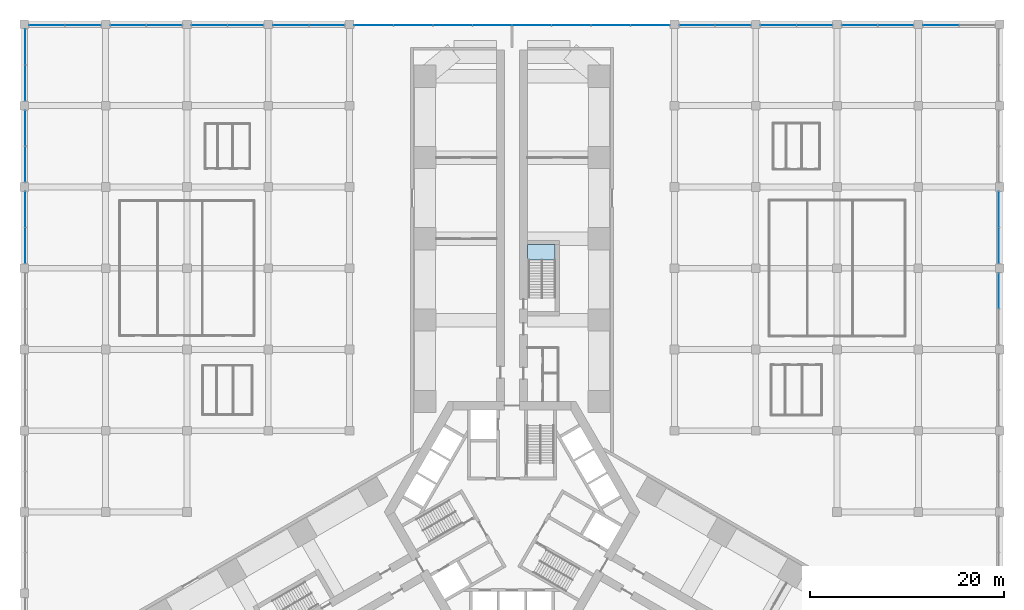
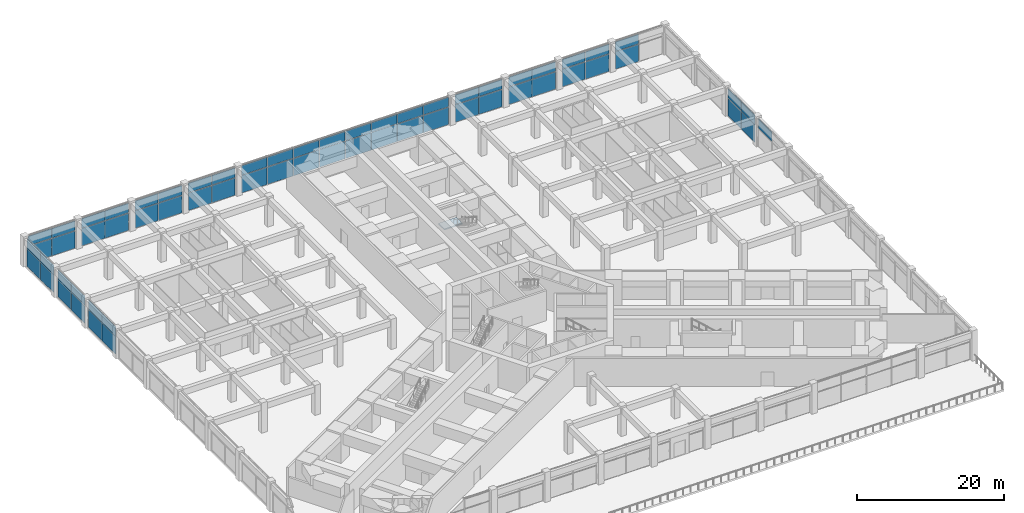
# One storey, part 26 of 36: 63 plates, 1 slab, 15 elements without a shape of their own.
"""IFC4 building model written with IfcOpenShell, lengths in metres."""

from ifc_helpers import new_model, si_unit, direction, frame, origin, origin_2d, place, context, subcontext, project, spatial, polyline, rectangle, outline, extrude, material, layer, layer_set, type_object, element, aggregate, save


model = new_model("IFC4")

# Units and contexts
model_context = context("Model", 3, precision=1e-05, world=origin(), true_north=direction((0.0, 1.0)))
body_context = subcontext(model_context, "Body", "Model", "MODEL_VIEW")
ifc_project = project(units=[si_unit("LENGTHUNIT", "METRE"), si_unit("AREAUNIT", "SQUARE_METRE"), si_unit("VOLUMEUNIT", "CUBIC_METRE"), si_unit("PLANEANGLEUNIT", "RADIAN"), si_unit("MASSUNIT", "GRAM", prefix="KILO")], contexts=[model_context])

# Site, building, storey
site_placement = place(None, origin())
site = spatial("IfcSite", under=ifc_project, at=site_placement, CompositionType="ELEMENT")
building_placement = place(site_placement, origin())
building = spatial("IfcBuilding", under=site, at=building_placement, Name="Impinga Residences", CompositionType="ELEMENT")
storey_placement = place(building_placement, frame((0.0, 0.0, 6.0)))
storey = spatial("IfcBuildingStorey", under=building, at=storey_placement, Name="L01", CompositionType="ELEMENT", Elevation=6.0)

# Curtain wall, plates
ifc_material_1 = material(Name="Aluminium stick curtain wall", Category="aluminium")
curtain_wall_type = type_object("IfcCurtainWallType", Name="CW1 podium amenity curtain wall", PredefinedType="USERDEFINED", material=ifc_material_1)
curtain_wall_1_placement = place(storey_placement, origin())
curtain_wall_1 = element("IfcCurtainWall", 1, at=curtain_wall_1_placement, inside=storey, type_object=curtain_wall_type, Name="Curtain wall CW1 L01", ObjectType="STICK CURTAIN WALL", PredefinedType="USERDEFINED")
ifc_material_2 = material(Name="Clear double glazing", Category="glass")
ifc_layer_1 = layer(ifc_material_2, 0.028076171875)
ifc_layer_set_1 = layer_set([ifc_layer_1], Name="CW1-P clear double glazed panel 28")
plate_type = type_object("IfcPlateType", Name="CW1-P clear double glazed panel 28", PredefinedType="CURTAIN_PANEL", material=ifc_layer_set_1)
plate_1_placement = place(storey_placement, frame((-50.300048828125, 27.54150390625, 0.06005859375), z_axis=(0.0, 0.0, 1.0), x_axis=(0.0, 1.0, 0.0)))
plate_1 = element("IfcPlate", 2, at=plate_1_placement, type_object=plate_type, Name="CW1 panel 1.1", PredefinedType="CURTAIN_PANEL", context=body_context, shape_type="SweptSolid", body=[
    extrude(rectangle(XDim=3.656982421875, YDim=0.028076171875, at=origin_2d()), origin(), (0.0, 0.0, 1.0), 2.909912109375),
])
plate_2_placement = place(storey_placement, frame((-50.300048828125, 27.54150390625, 3.02978515625), z_axis=(0.0, 0.0, 1.0), x_axis=(0.0, 1.0, 0.0)))
plate_2 = element("IfcPlate", 3, at=plate_2_placement, type_object=plate_type, Name="CW1 panel 1.2", PredefinedType="CURTAIN_PANEL", context=body_context, shape_type="SweptSolid", body=[
    extrude(rectangle(XDim=3.656982421875, YDim=0.028076171875, at=origin_2d()), origin(), (0.0, 0.0, 1.0), 1.610107421875),
])
plate_3_placement = place(storey_placement, frame((-50.300048828125, 31.258544921875, 0.06005859375), z_axis=(0.0, 0.0, 1.0), x_axis=(0.0, 1.0, 0.0)))
plate_3 = element("IfcPlate", 4, at=plate_3_placement, type_object=plate_type, Name="CW1 panel 2.1", PredefinedType="CURTAIN_PANEL", context=body_context, shape_type="SweptSolid", body=[
    extrude(rectangle(XDim=3.656982421875, YDim=0.028076171875, at=origin_2d()), origin(), (0.0, 0.0, 1.0), 2.909912109375),
])
plate_4_placement = place(storey_placement, frame((-50.300048828125, 31.258544921875, 3.02978515625), z_axis=(0.0, 0.0, 1.0), x_axis=(0.0, 1.0, 0.0)))
plate_4 = element("IfcPlate", 5, at=plate_4_placement, type_object=plate_type, Name="CW1 panel 2.2", PredefinedType="CURTAIN_PANEL", context=body_context, shape_type="SweptSolid", body=[
    extrude(rectangle(XDim=3.656982421875, YDim=0.028076171875, at=origin_2d()), origin(), (0.0, 0.0, 1.0), 1.610107421875),
])
aggregate(curtain_wall_1, [plate_1, plate_2, plate_3, plate_4])

curtain_wall_2_placement = place(storey_placement, origin())
curtain_wall_2 = element("IfcCurtainWall", 6, at=curtain_wall_2_placement, inside=storey, type_object=curtain_wall_type, Name="Curtain wall CW1 L01", ObjectType="STICK CURTAIN WALL", PredefinedType="USERDEFINED")
plate_5_placement = place(storey_placement, frame((-50.300048828125, 35.94140625, 0.06005859375), z_axis=(0.0, 0.0, 1.0), x_axis=(0.0, 1.0, 0.0)))
plate_5 = element("IfcPlate", 7, at=plate_5_placement, type_object=plate_type, Name="CW1 panel 1.1", PredefinedType="CURTAIN_PANEL", context=body_context, shape_type="SweptSolid", body=[
    extrude(rectangle(XDim=3.656982421875, YDim=0.028076171875, at=origin_2d()), origin(), (0.0, 0.0, 1.0), 2.909912109375),
])
plate_6_placement = place(storey_placement, frame((-50.300048828125, 35.94140625, 3.02978515625), z_axis=(0.0, 0.0, 1.0), x_axis=(0.0, 1.0, 0.0)))
plate_6 = element("IfcPlate", 8, at=plate_6_placement, type_object=plate_type, Name="CW1 panel 1.2", PredefinedType="CURTAIN_PANEL", context=body_context, shape_type="SweptSolid", body=[
    extrude(rectangle(XDim=3.656982421875, YDim=0.028076171875, at=origin_2d()), origin(), (0.0, 0.0, 1.0), 1.610107421875),
])
plate_7_placement = place(storey_placement, frame((-50.300048828125, 39.658447265625, 0.06005859375), z_axis=(0.0, 0.0, 1.0), x_axis=(0.0, 1.0, 0.0)))
plate_7 = element("IfcPlate", 9, at=plate_7_placement, type_object=plate_type, Name="CW1 panel 2.1", PredefinedType="CURTAIN_PANEL", context=body_context, shape_type="SweptSolid", body=[
    extrude(rectangle(XDim=3.656982421875, YDim=0.028076171875, at=origin_2d()), origin(), (0.0, 0.0, 1.0), 2.909912109375),
])
plate_8_placement = place(storey_placement, frame((-50.300048828125, 39.658447265625, 3.02978515625), z_axis=(0.0, 0.0, 1.0), x_axis=(0.0, 1.0, 0.0)))
plate_8 = element("IfcPlate", 10, at=plate_8_placement, type_object=plate_type, Name="CW1 panel 2.2", PredefinedType="CURTAIN_PANEL", context=body_context, shape_type="SweptSolid", body=[
    extrude(rectangle(XDim=3.656982421875, YDim=0.028076171875, at=origin_2d()), origin(), (0.0, 0.0, 1.0), 1.610107421875),
])
aggregate(curtain_wall_2, [plate_5, plate_6, plate_7, plate_8])

curtain_wall_3_placement = place(storey_placement, origin())
curtain_wall_3 = element("IfcCurtainWall", 11, at=curtain_wall_3_placement, inside=storey, type_object=curtain_wall_type, Name="Curtain wall CW1 L01", ObjectType="STICK CURTAIN WALL", PredefinedType="USERDEFINED")
plate_9_placement = place(storey_placement, frame((-50.300048828125, 44.341552734375, 0.06005859375), z_axis=(0.0, 0.0, 1.0), x_axis=(0.0, 1.0, 0.0)))
plate_9 = element("IfcPlate", 12, at=plate_9_placement, type_object=plate_type, Name="CW1 panel 1.1", PredefinedType="CURTAIN_PANEL", context=body_context, shape_type="SweptSolid", body=[
    extrude(rectangle(XDim=3.656982421875, YDim=0.028076171875, at=origin_2d()), origin(), (0.0, 0.0, 1.0), 2.909912109375),
])
plate_10_placement = place(storey_placement, frame((-50.300048828125, 44.341552734375, 3.02978515625), z_axis=(0.0, 0.0, 1.0), x_axis=(0.0, 1.0, 0.0)))
plate_10 = element("IfcPlate", 13, at=plate_10_placement, type_object=plate_type, Name="CW1 panel 1.2", PredefinedType="CURTAIN_PANEL", context=body_context, shape_type="SweptSolid", body=[
    extrude(rectangle(XDim=3.656982421875, YDim=0.028076171875, at=origin_2d()), origin(), (0.0, 0.0, 1.0), 1.610107421875),
])
plate_11_placement = place(storey_placement, frame((-50.300048828125, 48.05859375, 0.06005859375), z_axis=(0.0, 0.0, 1.0), x_axis=(0.0, 1.0, 0.0)))
plate_11 = element("IfcPlate", 14, at=plate_11_placement, type_object=plate_type, Name="CW1 panel 2.1", PredefinedType="CURTAIN_PANEL", context=body_context, shape_type="SweptSolid", body=[
    extrude(rectangle(XDim=3.656982421875, YDim=0.028076171875, at=origin_2d()), origin(), (0.0, 0.0, 1.0), 2.909912109375),
])
plate_12_placement = place(storey_placement, frame((-50.300048828125, 48.05859375, 3.02978515625), z_axis=(0.0, 0.0, 1.0), x_axis=(0.0, 1.0, 0.0)))
plate_12 = element("IfcPlate", 15, at=plate_12_placement, type_object=plate_type, Name="CW1 panel 2.2", PredefinedType="CURTAIN_PANEL", context=body_context, shape_type="SweptSolid", body=[
    extrude(rectangle(XDim=3.656982421875, YDim=0.028076171875, at=origin_2d()), origin(), (0.0, 0.0, 1.0), 1.610107421875),
])
aggregate(curtain_wall_3, [plate_9, plate_10, plate_11, plate_12])

curtain_wall_4_placement = place(storey_placement, origin())
curtain_wall_4 = element("IfcCurtainWall", 16, at=curtain_wall_4_placement, inside=storey, type_object=curtain_wall_type, Name="Curtain wall CW1 L01", ObjectType="STICK CURTAIN WALL", PredefinedType="USERDEFINED")
plate_13_placement = place(storey_placement, frame((-48.05859375, 50.300048828125, 0.06005859375), z_axis=(0.0, 0.0, 1.0), x_axis=(1.0, 0.0, 0.0)))
plate_13 = element("IfcPlate", 17, at=plate_13_placement, type_object=plate_type, Name="CW1 panel 1.1", PredefinedType="CURTAIN_PANEL", context=body_context, shape_type="SweptSolid", body=[
    extrude(rectangle(XDim=3.656982421875, YDim=0.028076171875, at=origin_2d()), origin(), (0.0, 0.0, 1.0), 2.909912109375),
])
plate_14_placement = place(storey_placement, frame((-48.05859375, 50.300048828125, 3.02978515625), z_axis=(0.0, 0.0, 1.0), x_axis=(1.0, 0.0, 0.0)))
plate_14 = element("IfcPlate", 18, at=plate_14_placement, type_object=plate_type, Name="CW1 panel 1.2", PredefinedType="CURTAIN_PANEL", context=body_context, shape_type="SweptSolid", body=[
    extrude(rectangle(XDim=3.656982421875, YDim=0.028076171875, at=origin_2d()), origin(), (0.0, 0.0, 1.0), 1.610107421875),
])
plate_15_placement = place(storey_placement, frame((-44.341552734375, 50.300048828125, 0.06005859375), z_axis=(0.0, 0.0, 1.0), x_axis=(1.0, 0.0, 0.0)))
plate_15 = element("IfcPlate", 19, at=plate_15_placement, type_object=plate_type, Name="CW1 panel 2.1", PredefinedType="CURTAIN_PANEL", context=body_context, shape_type="SweptSolid", body=[
    extrude(rectangle(XDim=3.656982421875, YDim=0.028076171875, at=origin_2d()), origin(), (0.0, 0.0, 1.0), 2.909912109375),
])
plate_16_placement = place(storey_placement, frame((-44.341552734375, 50.300048828125, 3.02978515625), z_axis=(0.0, 0.0, 1.0), x_axis=(1.0, 0.0, 0.0)))
plate_16 = element("IfcPlate", 20, at=plate_16_placement, type_object=plate_type, Name="CW1 panel 2.2", PredefinedType="CURTAIN_PANEL", context=body_context, shape_type="SweptSolid", body=[
    extrude(rectangle(XDim=3.656982421875, YDim=0.028076171875, at=origin_2d()), origin(), (0.0, 0.0, 1.0), 1.610107421875),
])
aggregate(curtain_wall_4, [plate_13, plate_14, plate_15, plate_16])

curtain_wall_5_placement = place(storey_placement, origin())
curtain_wall_5 = element("IfcCurtainWall", 21, at=curtain_wall_5_placement, inside=storey, type_object=curtain_wall_type, Name="Curtain wall CW1 L01", ObjectType="STICK CURTAIN WALL", PredefinedType="USERDEFINED")
plate_17_placement = place(storey_placement, frame((-39.658447265625, 50.300048828125, 0.06005859375), z_axis=(0.0, 0.0, 1.0), x_axis=(1.0, 0.0, 0.0)))
plate_17 = element("IfcPlate", 22, at=plate_17_placement, type_object=plate_type, Name="CW1 panel 1.1", PredefinedType="CURTAIN_PANEL", context=body_context, shape_type="SweptSolid", body=[
    extrude(rectangle(XDim=3.656982421875, YDim=0.028076171875, at=origin_2d()), origin(), (0.0, 0.0, 1.0), 2.909912109375),
])
plate_18_placement = place(storey_placement, frame((-39.658447265625, 50.300048828125, 3.02978515625), z_axis=(0.0, 0.0, 1.0), x_axis=(1.0, 0.0, 0.0)))
plate_18 = element("IfcPlate", 23, at=plate_18_placement, type_object=plate_type, Name="CW1 panel 1.2", PredefinedType="CURTAIN_PANEL", context=body_context, shape_type="SweptSolid", body=[
    extrude(rectangle(XDim=3.656982421875, YDim=0.028076171875, at=origin_2d()), origin(), (0.0, 0.0, 1.0), 1.610107421875),
])
plate_19_placement = place(storey_placement, frame((-35.94140625, 50.300048828125, 0.06005859375), z_axis=(0.0, 0.0, 1.0), x_axis=(1.0, 0.0, 0.0)))
plate_19 = element("IfcPlate", 24, at=plate_19_placement, type_object=plate_type, Name="CW1 panel 2.1", PredefinedType="CURTAIN_PANEL", context=body_context, shape_type="SweptSolid", body=[
    extrude(rectangle(XDim=3.656982421875, YDim=0.028076171875, at=origin_2d()), origin(), (0.0, 0.0, 1.0), 2.909912109375),
])
plate_20_placement = place(storey_placement, frame((-35.94140625, 50.300048828125, 3.02978515625), z_axis=(0.0, 0.0, 1.0), x_axis=(1.0, 0.0, 0.0)))
plate_20 = element("IfcPlate", 25, at=plate_20_placement, type_object=plate_type, Name="CW1 panel 2.2", PredefinedType="CURTAIN_PANEL", context=body_context, shape_type="SweptSolid", body=[
    extrude(rectangle(XDim=3.656982421875, YDim=0.028076171875, at=origin_2d()), origin(), (0.0, 0.0, 1.0), 1.610107421875),
])
aggregate(curtain_wall_5, [plate_17, plate_18, plate_19, plate_20])

curtain_wall_6_placement = place(storey_placement, origin())
curtain_wall_6 = element("IfcCurtainWall", 26, at=curtain_wall_6_placement, inside=storey, type_object=curtain_wall_type, Name="Curtain wall CW1 L01", ObjectType="STICK CURTAIN WALL", PredefinedType="USERDEFINED")
plate_21_placement = place(storey_placement, frame((-31.258544921875, 50.300048828125, 0.06005859375), z_axis=(0.0, 0.0, 1.0), x_axis=(1.0, 0.0, 0.0)))
plate_21 = element("IfcPlate", 27, at=plate_21_placement, type_object=plate_type, Name="CW1 panel 1.1", PredefinedType="CURTAIN_PANEL", context=body_context, shape_type="SweptSolid", body=[
    extrude(rectangle(XDim=3.656982421875, YDim=0.028076171875, at=origin_2d()), origin(), (0.0, 0.0, 1.0), 2.909912109375),
])
plate_22_placement = place(storey_placement, frame((-31.258544921875, 50.300048828125, 3.02978515625), z_axis=(0.0, 0.0, 1.0), x_axis=(1.0, 0.0, 0.0)))
plate_22 = element("IfcPlate", 28, at=plate_22_placement, type_object=plate_type, Name="CW1 panel 1.2", PredefinedType="CURTAIN_PANEL", context=body_context, shape_type="SweptSolid", body=[
    extrude(rectangle(XDim=3.656982421875, YDim=0.028076171875, at=origin_2d()), origin(), (0.0, 0.0, 1.0), 1.610107421875),
])
plate_23_placement = place(storey_placement, frame((-27.54150390625, 50.300048828125, 0.06005859375), z_axis=(0.0, 0.0, 1.0), x_axis=(1.0, 0.0, 0.0)))
plate_23 = element("IfcPlate", 29, at=plate_23_placement, type_object=plate_type, Name="CW1 panel 2.1", PredefinedType="CURTAIN_PANEL", context=body_context, shape_type="SweptSolid", body=[
    extrude(rectangle(XDim=3.656982421875, YDim=0.028076171875, at=origin_2d()), origin(), (0.0, 0.0, 1.0), 2.909912109375),
])
plate_24_placement = place(storey_placement, frame((-27.54150390625, 50.300048828125, 3.02978515625), z_axis=(0.0, 0.0, 1.0), x_axis=(1.0, 0.0, 0.0)))
plate_24 = element("IfcPlate", 30, at=plate_24_placement, type_object=plate_type, Name="CW1 panel 2.2", PredefinedType="CURTAIN_PANEL", context=body_context, shape_type="SweptSolid", body=[
    extrude(rectangle(XDim=3.656982421875, YDim=0.028076171875, at=origin_2d()), origin(), (0.0, 0.0, 1.0), 1.610107421875),
])
aggregate(curtain_wall_6, [plate_21, plate_22, plate_23, plate_24])

curtain_wall_7_placement = place(storey_placement, origin())
curtain_wall_7 = element("IfcCurtainWall", 31, at=curtain_wall_7_placement, inside=storey, type_object=curtain_wall_type, Name="Curtain wall CW1 L01", ObjectType="STICK CURTAIN WALL", PredefinedType="USERDEFINED")
plate_25_placement = place(storey_placement, frame((-22.8583984375, 50.300048828125, 0.06005859375), z_axis=(0.0, 0.0, 1.0), x_axis=(1.0, 0.0, 0.0)))
plate_25 = element("IfcPlate", 32, at=plate_25_placement, type_object=plate_type, Name="CW1 panel 1.1", PredefinedType="CURTAIN_PANEL", context=body_context, shape_type="SweptSolid", body=[
    extrude(rectangle(XDim=3.656982421875, YDim=0.028076171875, at=origin_2d()), origin(), (0.0, 0.0, 1.0), 2.909912109375),
])
plate_26_placement = place(storey_placement, frame((-22.8583984375, 50.300048828125, 3.02978515625), z_axis=(0.0, 0.0, 1.0), x_axis=(1.0, 0.0, 0.0)))
plate_26 = element("IfcPlate", 33, at=plate_26_placement, type_object=plate_type, Name="CW1 panel 1.2", PredefinedType="CURTAIN_PANEL", context=body_context, shape_type="SweptSolid", body=[
    extrude(rectangle(XDim=3.656982421875, YDim=0.028076171875, at=origin_2d()), origin(), (0.0, 0.0, 1.0), 1.610107421875),
])
plate_27_placement = place(storey_placement, frame((-19.1416015625, 50.300048828125, 0.06005859375), z_axis=(0.0, 0.0, 1.0), x_axis=(1.0, 0.0, 0.0)))
plate_27 = element("IfcPlate", 34, at=plate_27_placement, type_object=plate_type, Name="CW1 panel 2.1", PredefinedType="CURTAIN_PANEL", context=body_context, shape_type="SweptSolid", body=[
    extrude(rectangle(XDim=3.656982421875, YDim=0.028076171875, at=origin_2d()), origin(), (0.0, 0.0, 1.0), 2.909912109375),
])
plate_28_placement = place(storey_placement, frame((-19.1416015625, 50.300048828125, 3.02978515625), z_axis=(0.0, 0.0, 1.0), x_axis=(1.0, 0.0, 0.0)))
plate_28 = element("IfcPlate", 35, at=plate_28_placement, type_object=plate_type, Name="CW1 panel 2.2", PredefinedType="CURTAIN_PANEL", context=body_context, shape_type="SweptSolid", body=[
    extrude(rectangle(XDim=3.656982421875, YDim=0.028076171875, at=origin_2d()), origin(), (0.0, 0.0, 1.0), 1.610107421875),
])
aggregate(curtain_wall_7, [plate_25, plate_26, plate_27, plate_28])

curtain_wall_8_placement = place(storey_placement, origin())
curtain_wall_8 = element("IfcCurtainWall", 36, at=curtain_wall_8_placement, inside=storey, type_object=curtain_wall_type, Name="Curtain wall CW1 L01", ObjectType="STICK CURTAIN WALL", PredefinedType="USERDEFINED")
plate_29_placement = place(storey_placement, frame((-14.28857421875, 50.300048828125, 0.06005859375), z_axis=(0.0, 0.0, 1.0), x_axis=(1.0, 0.0, 0.0)))
plate_29 = element("IfcPlate", 37, at=plate_29_placement, type_object=plate_type, Name="CW1 panel 1.1", PredefinedType="CURTAIN_PANEL", context=body_context, shape_type="SweptSolid", body=[
    extrude(rectangle(XDim=3.996826171875, YDim=0.028076171875, at=origin_2d()), origin(), (0.0, 0.0, 1.0), 2.909912109375),
])
plate_30_placement = place(storey_placement, frame((-14.28857421875, 50.300048828125, 3.02978515625), z_axis=(0.0, 0.0, 1.0), x_axis=(1.0, 0.0, 0.0)))
plate_30 = element("IfcPlate", 38, at=plate_30_placement, type_object=plate_type, Name="CW1 panel 1.2", PredefinedType="CURTAIN_PANEL", context=body_context, shape_type="SweptSolid", body=[
    extrude(rectangle(XDim=3.996826171875, YDim=0.028076171875, at=origin_2d()), origin(), (0.0, 0.0, 1.0), 1.610107421875),
])
plate_31_placement = place(storey_placement, frame((-10.216796875, 50.300048828125, 0.06005859375), z_axis=(0.0, 0.0, 1.0), x_axis=(1.0, 0.0, 0.0)))
plate_31 = element("IfcPlate", 39, at=plate_31_placement, type_object=plate_type, Name="CW1 panel 2.1", PredefinedType="CURTAIN_PANEL", context=body_context, shape_type="SweptSolid", body=[
    extrude(rectangle(XDim=4.02685546875, YDim=0.028076171875, at=origin_2d()), origin(), (0.0, 0.0, 1.0), 2.909912109375),
])
plate_32_placement = place(storey_placement, frame((-10.216796875, 50.300048828125, 3.02978515625), z_axis=(0.0, 0.0, 1.0), x_axis=(1.0, 0.0, 0.0)))
plate_32 = element("IfcPlate", 40, at=plate_32_placement, type_object=plate_type, Name="CW1 panel 2.2", PredefinedType="CURTAIN_PANEL", context=body_context, shape_type="SweptSolid", body=[
    extrude(rectangle(XDim=4.02685546875, YDim=0.028076171875, at=origin_2d()), origin(), (0.0, 0.0, 1.0), 1.610107421875),
])
plate_33_placement = place(storey_placement, frame((-6.130126953125, 50.300048828125, 0.06005859375), z_axis=(0.0, 0.0, 1.0), x_axis=(1.0, 0.0, 0.0)))
plate_33 = element("IfcPlate", 41, at=plate_33_placement, type_object=plate_type, Name="CW1 panel 3.1", PredefinedType="CURTAIN_PANEL", context=body_context, shape_type="SweptSolid", body=[
    extrude(rectangle(XDim=4.02685546875, YDim=0.028076171875, at=origin_2d()), origin(), (0.0, 0.0, 1.0), 2.909912109375),
])
plate_34_placement = place(storey_placement, frame((-6.130126953125, 50.300048828125, 3.02978515625), z_axis=(0.0, 0.0, 1.0), x_axis=(1.0, 0.0, 0.0)))
plate_34 = element("IfcPlate", 42, at=plate_34_placement, type_object=plate_type, Name="CW1 panel 3.2", PredefinedType="CURTAIN_PANEL", context=body_context, shape_type="SweptSolid", body=[
    extrude(rectangle(XDim=4.02685546875, YDim=0.028076171875, at=origin_2d()), origin(), (0.0, 0.0, 1.0), 1.610107421875),
])
plate_35_placement = place(storey_placement, frame((-2.04345703125, 50.300048828125, 0.06005859375), z_axis=(0.0, 0.0, 1.0), x_axis=(1.0, 0.0, 0.0)))
plate_35 = element("IfcPlate", 43, at=plate_35_placement, type_object=plate_type, Name="CW1 panel 4.1", PredefinedType="CURTAIN_PANEL", context=body_context, shape_type="SweptSolid", body=[
    extrude(rectangle(XDim=4.02685546875, YDim=0.028076171875, at=origin_2d()), origin(), (0.0, 0.0, 1.0), 2.909912109375),
])
plate_36_placement = place(storey_placement, frame((-2.04345703125, 50.300048828125, 3.02978515625), z_axis=(0.0, 0.0, 1.0), x_axis=(1.0, 0.0, 0.0)))
plate_36 = element("IfcPlate", 44, at=plate_36_placement, type_object=plate_type, Name="CW1 panel 4.2", PredefinedType="CURTAIN_PANEL", context=body_context, shape_type="SweptSolid", body=[
    extrude(rectangle(XDim=4.02685546875, YDim=0.028076171875, at=origin_2d()), origin(), (0.0, 0.0, 1.0), 1.610107421875),
])
plate_37_placement = place(storey_placement, frame((2.04345703125, 50.300048828125, 0.06005859375), z_axis=(0.0, 0.0, 1.0), x_axis=(1.0, 0.0, 0.0)))
plate_37 = element("IfcPlate", 45, at=plate_37_placement, type_object=plate_type, Name="CW1 panel 5.1", PredefinedType="CURTAIN_PANEL", context=body_context, shape_type="SweptSolid", body=[
    extrude(rectangle(XDim=4.02685546875, YDim=0.028076171875, at=origin_2d()), origin(), (0.0, 0.0, 1.0), 2.909912109375),
])
plate_38_placement = place(storey_placement, frame((2.04345703125, 50.300048828125, 3.02978515625), z_axis=(0.0, 0.0, 1.0), x_axis=(1.0, 0.0, 0.0)))
plate_38 = element("IfcPlate", 46, at=plate_38_placement, type_object=plate_type, Name="CW1 panel 5.2", PredefinedType="CURTAIN_PANEL", context=body_context, shape_type="SweptSolid", body=[
    extrude(rectangle(XDim=4.02685546875, YDim=0.028076171875, at=origin_2d()), origin(), (0.0, 0.0, 1.0), 1.610107421875),
])
plate_39_placement = place(storey_placement, frame((6.130126953125, 50.300048828125, 0.06005859375), z_axis=(0.0, 0.0, 1.0), x_axis=(1.0, 0.0, 0.0)))
plate_39 = element("IfcPlate", 47, at=plate_39_placement, type_object=plate_type, Name="CW1 panel 6.1", PredefinedType="CURTAIN_PANEL", context=body_context, shape_type="SweptSolid", body=[
    extrude(rectangle(XDim=4.02685546875, YDim=0.028076171875, at=origin_2d()), origin(), (0.0, 0.0, 1.0), 2.909912109375),
])
plate_40_placement = place(storey_placement, frame((6.130126953125, 50.300048828125, 3.02978515625), z_axis=(0.0, 0.0, 1.0), x_axis=(1.0, 0.0, 0.0)))
plate_40 = element("IfcPlate", 48, at=plate_40_placement, type_object=plate_type, Name="CW1 panel 6.2", PredefinedType="CURTAIN_PANEL", context=body_context, shape_type="SweptSolid", body=[
    extrude(rectangle(XDim=4.02685546875, YDim=0.028076171875, at=origin_2d()), origin(), (0.0, 0.0, 1.0), 1.610107421875),
])
plate_41_placement = place(storey_placement, frame((10.216796875, 50.300048828125, 0.06005859375), z_axis=(0.0, 0.0, 1.0), x_axis=(1.0, 0.0, 0.0)))
plate_41 = element("IfcPlate", 49, at=plate_41_placement, type_object=plate_type, Name="CW1 panel 7.1", PredefinedType="CURTAIN_PANEL", context=body_context, shape_type="SweptSolid", body=[
    extrude(rectangle(XDim=4.02685546875, YDim=0.028076171875, at=origin_2d()), origin(), (0.0, 0.0, 1.0), 2.909912109375),
])
plate_42_placement = place(storey_placement, frame((10.216796875, 50.300048828125, 3.02978515625), z_axis=(0.0, 0.0, 1.0), x_axis=(1.0, 0.0, 0.0)))
plate_42 = element("IfcPlate", 50, at=plate_42_placement, type_object=plate_type, Name="CW1 panel 7.2", PredefinedType="CURTAIN_PANEL", context=body_context, shape_type="SweptSolid", body=[
    extrude(rectangle(XDim=4.02685546875, YDim=0.028076171875, at=origin_2d()), origin(), (0.0, 0.0, 1.0), 1.610107421875),
])
plate_43_placement = place(storey_placement, frame((14.28857421875, 50.300048828125, 0.06005859375), z_axis=(0.0, 0.0, 1.0), x_axis=(1.0, 0.0, 0.0)))
plate_43 = element("IfcPlate", 51, at=plate_43_placement, type_object=plate_type, Name="CW1 panel 8.1", PredefinedType="CURTAIN_PANEL", context=body_context, shape_type="SweptSolid", body=[
    extrude(rectangle(XDim=3.996826171875, YDim=0.028076171875, at=origin_2d()), origin(), (0.0, 0.0, 1.0), 2.909912109375),
])
plate_44_placement = place(storey_placement, frame((14.28857421875, 50.300048828125, 3.02978515625), z_axis=(0.0, 0.0, 1.0), x_axis=(1.0, 0.0, 0.0)))
plate_44 = element("IfcPlate", 52, at=plate_44_placement, type_object=plate_type, Name="CW1 panel 8.2", PredefinedType="CURTAIN_PANEL", context=body_context, shape_type="SweptSolid", body=[
    extrude(rectangle(XDim=3.996826171875, YDim=0.028076171875, at=origin_2d()), origin(), (0.0, 0.0, 1.0), 1.610107421875),
])
aggregate(curtain_wall_8, [plate_29, plate_30, plate_31, plate_32, plate_33, plate_34, plate_35, plate_36, plate_37, plate_38, plate_39, plate_40, plate_41, plate_42, plate_43, plate_44])

curtain_wall_9_placement = place(storey_placement, origin())
curtain_wall_9 = element("IfcCurtainWall", 53, at=curtain_wall_9_placement, inside=storey, type_object=curtain_wall_type, Name="Curtain wall CW1 L01", ObjectType="STICK CURTAIN WALL", PredefinedType="USERDEFINED")
plate_45_placement = place(storey_placement, frame((19.1416015625, 50.300048828125, 0.06005859375), z_axis=(0.0, 0.0, 1.0), x_axis=(1.0, 0.0, 0.0)))
plate_45 = element("IfcPlate", 54, at=plate_45_placement, type_object=plate_type, Name="CW1 panel 1.1", PredefinedType="CURTAIN_PANEL", context=body_context, shape_type="SweptSolid", body=[
    extrude(rectangle(XDim=3.656982421875, YDim=0.028076171875, at=origin_2d()), origin(), (0.0, 0.0, 1.0), 2.909912109375),
])
plate_46_placement = place(storey_placement, frame((19.1416015625, 50.300048828125, 3.02978515625), z_axis=(0.0, 0.0, 1.0), x_axis=(1.0, 0.0, 0.0)))
plate_46 = element("IfcPlate", 55, at=plate_46_placement, type_object=plate_type, Name="CW1 panel 1.2", PredefinedType="CURTAIN_PANEL", context=body_context, shape_type="SweptSolid", body=[
    extrude(rectangle(XDim=3.656982421875, YDim=0.028076171875, at=origin_2d()), origin(), (0.0, 0.0, 1.0), 1.610107421875),
])
plate_47_placement = place(storey_placement, frame((22.8583984375, 50.300048828125, 0.06005859375), z_axis=(0.0, 0.0, 1.0), x_axis=(1.0, 0.0, 0.0)))
plate_47 = element("IfcPlate", 56, at=plate_47_placement, type_object=plate_type, Name="CW1 panel 2.1", PredefinedType="CURTAIN_PANEL", context=body_context, shape_type="SweptSolid", body=[
    extrude(rectangle(XDim=3.656982421875, YDim=0.028076171875, at=origin_2d()), origin(), (0.0, 0.0, 1.0), 2.909912109375),
])
plate_48_placement = place(storey_placement, frame((22.8583984375, 50.300048828125, 3.02978515625), z_axis=(0.0, 0.0, 1.0), x_axis=(1.0, 0.0, 0.0)))
plate_48 = element("IfcPlate", 57, at=plate_48_placement, type_object=plate_type, Name="CW1 panel 2.2", PredefinedType="CURTAIN_PANEL", context=body_context, shape_type="SweptSolid", body=[
    extrude(rectangle(XDim=3.656982421875, YDim=0.028076171875, at=origin_2d()), origin(), (0.0, 0.0, 1.0), 1.610107421875),
])
aggregate(curtain_wall_9, [plate_45, plate_46, plate_47, plate_48])

curtain_wall_10_placement = place(storey_placement, origin())
curtain_wall_10 = element("IfcCurtainWall", 58, at=curtain_wall_10_placement, inside=storey, type_object=curtain_wall_type, Name="Curtain wall CW1 L01", ObjectType="STICK CURTAIN WALL", PredefinedType="USERDEFINED")
plate_49_placement = place(storey_placement, frame((27.54150390625, 50.300048828125, 0.06005859375), z_axis=(0.0, 0.0, 1.0), x_axis=(1.0, 0.0, 0.0)))
plate_49 = element("IfcPlate", 59, at=plate_49_placement, type_object=plate_type, Name="CW1 panel 1.1", PredefinedType="CURTAIN_PANEL", context=body_context, shape_type="SweptSolid", body=[
    extrude(rectangle(XDim=3.656982421875, YDim=0.028076171875, at=origin_2d()), origin(), (0.0, 0.0, 1.0), 2.909912109375),
])
plate_50_placement = place(storey_placement, frame((27.54150390625, 50.300048828125, 3.02978515625), z_axis=(0.0, 0.0, 1.0), x_axis=(1.0, 0.0, 0.0)))
plate_50 = element("IfcPlate", 60, at=plate_50_placement, type_object=plate_type, Name="CW1 panel 1.2", PredefinedType="CURTAIN_PANEL", context=body_context, shape_type="SweptSolid", body=[
    extrude(rectangle(XDim=3.656982421875, YDim=0.028076171875, at=origin_2d()), origin(), (0.0, 0.0, 1.0), 1.610107421875),
])
plate_51_placement = place(storey_placement, frame((31.258544921875, 50.300048828125, 0.06005859375), z_axis=(0.0, 0.0, 1.0), x_axis=(1.0, 0.0, 0.0)))
plate_51 = element("IfcPlate", 61, at=plate_51_placement, type_object=plate_type, Name="CW1 panel 2.1", PredefinedType="CURTAIN_PANEL", context=body_context, shape_type="SweptSolid", body=[
    extrude(rectangle(XDim=3.656982421875, YDim=0.028076171875, at=origin_2d()), origin(), (0.0, 0.0, 1.0), 2.909912109375),
])
plate_52_placement = place(storey_placement, frame((31.258544921875, 50.300048828125, 3.02978515625), z_axis=(0.0, 0.0, 1.0), x_axis=(1.0, 0.0, 0.0)))
plate_52 = element("IfcPlate", 62, at=plate_52_placement, type_object=plate_type, Name="CW1 panel 2.2", PredefinedType="CURTAIN_PANEL", context=body_context, shape_type="SweptSolid", body=[
    extrude(rectangle(XDim=3.656982421875, YDim=0.028076171875, at=origin_2d()), origin(), (0.0, 0.0, 1.0), 1.610107421875),
])
aggregate(curtain_wall_10, [plate_49, plate_50, plate_51, plate_52])

curtain_wall_11_placement = place(storey_placement, origin())
curtain_wall_11 = element("IfcCurtainWall", 63, at=curtain_wall_11_placement, inside=storey, type_object=curtain_wall_type, Name="Curtain wall CW1 L01", ObjectType="STICK CURTAIN WALL", PredefinedType="USERDEFINED")
plate_53_placement = place(storey_placement, frame((35.94140625, 50.300048828125, 0.06005859375), z_axis=(0.0, 0.0, 1.0), x_axis=(1.0, 0.0, 0.0)))
plate_53 = element("IfcPlate", 64, at=plate_53_placement, type_object=plate_type, Name="CW1 panel 1.1", PredefinedType="CURTAIN_PANEL", context=body_context, shape_type="SweptSolid", body=[
    extrude(rectangle(XDim=3.656982421875, YDim=0.028076171875, at=origin_2d()), origin(), (0.0, 0.0, 1.0), 2.909912109375),
])
plate_54_placement = place(storey_placement, frame((35.94140625, 50.300048828125, 3.02978515625), z_axis=(0.0, 0.0, 1.0), x_axis=(1.0, 0.0, 0.0)))
plate_54 = element("IfcPlate", 65, at=plate_54_placement, type_object=plate_type, Name="CW1 panel 1.2", PredefinedType="CURTAIN_PANEL", context=body_context, shape_type="SweptSolid", body=[
    extrude(rectangle(XDim=3.656982421875, YDim=0.028076171875, at=origin_2d()), origin(), (0.0, 0.0, 1.0), 1.610107421875),
])
plate_55_placement = place(storey_placement, frame((39.658447265625, 50.300048828125, 0.06005859375), z_axis=(0.0, 0.0, 1.0), x_axis=(1.0, 0.0, 0.0)))
plate_55 = element("IfcPlate", 66, at=plate_55_placement, type_object=plate_type, Name="CW1 panel 2.1", PredefinedType="CURTAIN_PANEL", context=body_context, shape_type="SweptSolid", body=[
    extrude(rectangle(XDim=3.656982421875, YDim=0.028076171875, at=origin_2d()), origin(), (0.0, 0.0, 1.0), 2.909912109375),
])
plate_56_placement = place(storey_placement, frame((39.658447265625, 50.300048828125, 3.02978515625), z_axis=(0.0, 0.0, 1.0), x_axis=(1.0, 0.0, 0.0)))
plate_56 = element("IfcPlate", 67, at=plate_56_placement, type_object=plate_type, Name="CW1 panel 2.2", PredefinedType="CURTAIN_PANEL", context=body_context, shape_type="SweptSolid", body=[
    extrude(rectangle(XDim=3.656982421875, YDim=0.028076171875, at=origin_2d()), origin(), (0.0, 0.0, 1.0), 1.610107421875),
])
aggregate(curtain_wall_11, [plate_53, plate_54, plate_55, plate_56])

curtain_wall_12_placement = place(storey_placement, origin())
curtain_wall_12 = element("IfcCurtainWall", 68, at=curtain_wall_12_placement, inside=storey, type_object=curtain_wall_type, Name="Curtain wall CW1 L01", ObjectType="STICK CURTAIN WALL", PredefinedType="USERDEFINED")
plate_57_placement = place(storey_placement, frame((44.341552734375, 50.300048828125, 0.06005859375), z_axis=(0.0, 0.0, 1.0), x_axis=(1.0, 0.0, 0.0)))
plate_57 = element("IfcPlate", 69, at=plate_57_placement, type_object=plate_type, Name="CW1 panel 1.1", PredefinedType="CURTAIN_PANEL", context=body_context, shape_type="SweptSolid", body=[
    extrude(rectangle(XDim=3.656982421875, YDim=0.028076171875, at=origin_2d()), origin(), (0.0, 0.0, 1.0), 2.909912109375),
])
plate_58_placement = place(storey_placement, frame((44.341552734375, 50.300048828125, 3.02978515625), z_axis=(0.0, 0.0, 1.0), x_axis=(1.0, 0.0, 0.0)))
plate_58 = element("IfcPlate", 70, at=plate_58_placement, type_object=plate_type, Name="CW1 panel 1.2", PredefinedType="CURTAIN_PANEL", context=body_context, shape_type="SweptSolid", body=[
    extrude(rectangle(XDim=3.656982421875, YDim=0.028076171875, at=origin_2d()), origin(), (0.0, 0.0, 1.0), 1.610107421875),
])
aggregate(curtain_wall_12, [plate_57, plate_58])

curtain_wall_13_placement = place(storey_placement, origin())
curtain_wall_13 = element("IfcCurtainWall", 71, at=curtain_wall_13_placement, inside=storey, type_object=curtain_wall_type, Name="Curtain wall CW1 L01", ObjectType="STICK CURTAIN WALL", PredefinedType="USERDEFINED")
plate_59_placement = place(storey_placement, frame((50.300048828125, 31.258544921875, 0.06005859375), z_axis=(0.0, 0.0, 1.0), x_axis=(0.0, -1.0, 0.0)))
plate_59 = element("IfcPlate", 72, at=plate_59_placement, type_object=plate_type, Name="CW1 panel 1.1", PredefinedType="CURTAIN_PANEL", context=body_context, shape_type="SweptSolid", body=[
    extrude(rectangle(XDim=3.656982421875, YDim=0.028076171875, at=origin_2d()), origin(), (0.0, 0.0, 1.0), 2.909912109375),
])
plate_60_placement = place(storey_placement, frame((50.300048828125, 31.258544921875, 3.02978515625), z_axis=(0.0, 0.0, 1.0), x_axis=(0.0, -1.0, 0.0)))
plate_60 = element("IfcPlate", 73, at=plate_60_placement, type_object=plate_type, Name="CW1 panel 1.2", PredefinedType="CURTAIN_PANEL", context=body_context, shape_type="SweptSolid", body=[
    extrude(rectangle(XDim=3.656982421875, YDim=0.028076171875, at=origin_2d()), origin(), (0.0, 0.0, 1.0), 1.610107421875),
])
plate_61_placement = place(storey_placement, frame((50.300048828125, 27.54150390625, 0.06005859375), z_axis=(0.0, 0.0, 1.0), x_axis=(0.0, -1.0, 0.0)))
plate_61 = element("IfcPlate", 74, at=plate_61_placement, type_object=plate_type, Name="CW1 panel 2.1", PredefinedType="CURTAIN_PANEL", context=body_context, shape_type="SweptSolid", body=[
    extrude(rectangle(XDim=3.656982421875, YDim=0.028076171875, at=origin_2d()), origin(), (0.0, 0.0, 1.0), 2.909912109375),
])
plate_62_placement = place(storey_placement, frame((50.300048828125, 27.54150390625, 3.02978515625), z_axis=(0.0, 0.0, 1.0), x_axis=(0.0, -1.0, 0.0)))
plate_62 = element("IfcPlate", 75, at=plate_62_placement, type_object=plate_type, Name="CW1 panel 2.2", PredefinedType="CURTAIN_PANEL", context=body_context, shape_type="SweptSolid", body=[
    extrude(rectangle(XDim=3.656982421875, YDim=0.028076171875, at=origin_2d()), origin(), (0.0, 0.0, 1.0), 1.610107421875),
])
aggregate(curtain_wall_13, [plate_59, plate_60, plate_61, plate_62])

# Curtain wall, plate
curtain_wall_14_placement = place(storey_placement, origin())
curtain_wall_14 = element("IfcCurtainWall", 76, at=curtain_wall_14_placement, inside=storey, type_object=curtain_wall_type, Name="Curtain wall CW1 L01", ObjectType="STICK CURTAIN WALL", PredefinedType="USERDEFINED")
plate_63_placement = place(storey_placement, frame((50.300048828125, 22.8583984375, 3.02978515625), z_axis=(0.0, 0.0, 1.0), x_axis=(0.0, -1.0, 0.0)))
plate_63 = element("IfcPlate", 77, at=plate_63_placement, type_object=plate_type, Name="CW1 panel 1.2", PredefinedType="CURTAIN_PANEL", context=body_context, shape_type="SweptSolid", body=[
    extrude(rectangle(XDim=3.656982421875, YDim=0.028076171875, at=origin_2d()), origin(), (0.0, 0.0, 1.0), 1.610107421875),
])
aggregate(curtain_wall_14, [plate_63])

# Stair, slab
ifc_material_3 = material(Name="Concrete C40/50", Category="concrete")
stair_type = type_object("IfcStairType", Name="STR wing stair 5000 storey, 30 risers", PredefinedType="HALF_TURN_STAIR", material=ifc_material_3)
stair_placement = place(storey_placement, origin())
stair = element("IfcStair", 78, at=stair_placement, inside=storey, type_object=stair_type, Name="Stair WS1 L01", PredefinedType="HALF_TURN_STAIR")
ifc_layer_2 = layer(ifc_material_3, 0.199951171875)
ifc_layer_set_2 = layer_set([ifc_layer_2], Name="Concrete C40/50")
slab_type = type_object("IfcSlabType", Name="LS1 stair landing 200", PredefinedType="LANDING", material=ifc_layer_set_2)
slab_placement = place(storey_placement, frame((0.0, 0.0, 2.300048828125)))
slab = element("IfcSlab", 79, at=slab_placement, type_object=slab_type, Name="WS1 landing 2", PredefinedType="LANDING", context=body_context, shape_type="SweptSolid", body=[
    extrude(outline(polyline([(1.60009765625, 26.04150390625), (4.449951171875, 26.04150390625), (4.449951171875, 27.631591796875), (1.60009765625, 27.631591796875), (1.60009765625, 26.04150390625)])), origin(), (0.0, 0.0, 1.0), 0.199951171875),
])
aggregate(stair, [slab])

save(model, "model.ifc")
